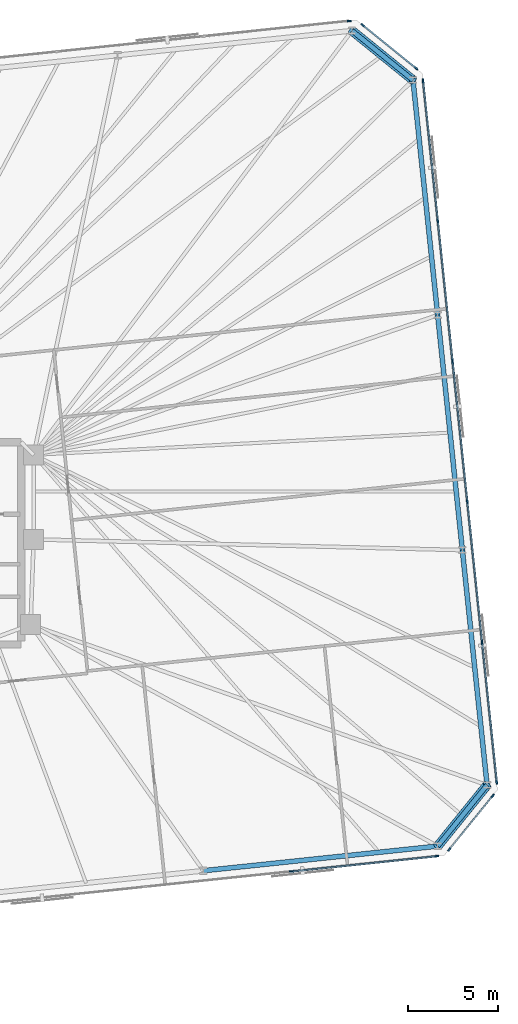
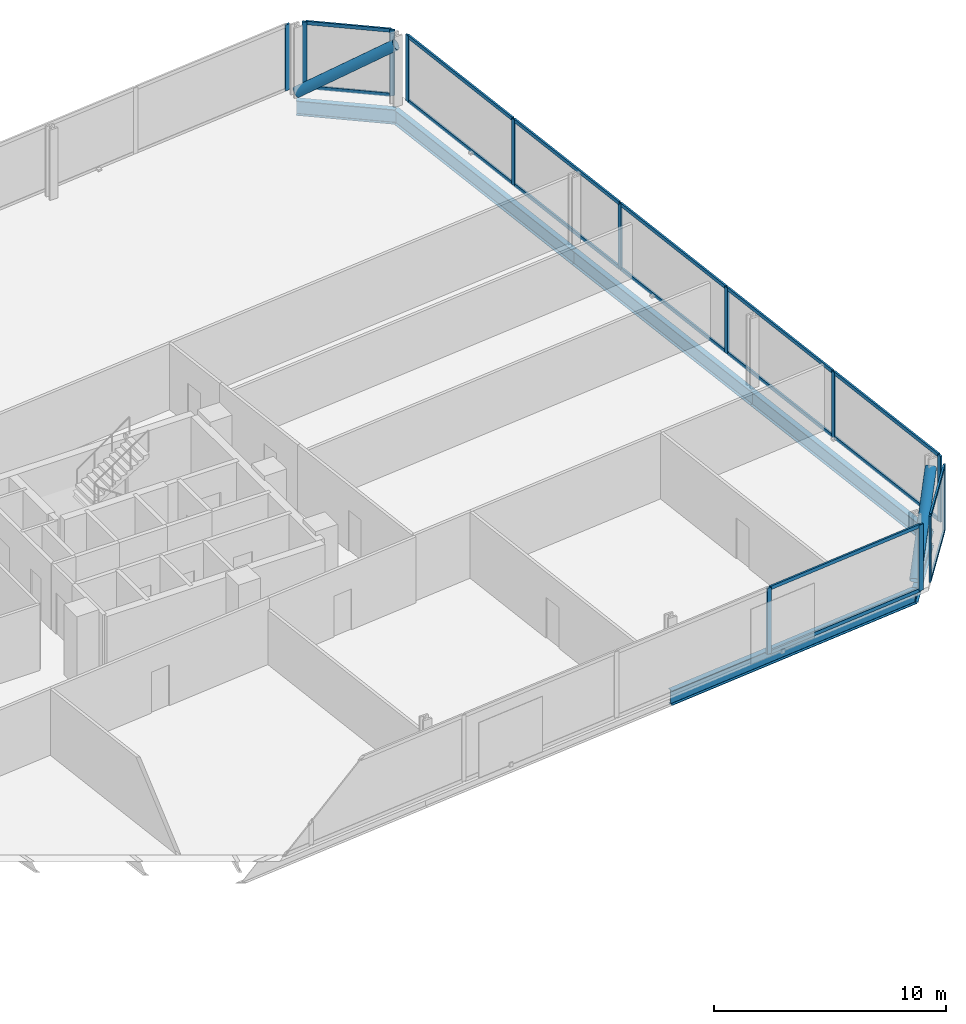
# One storey, part 12 of 18: 31 members, 6 beams, 5 elements without a shape of their own.
"""IFC4 building model written with IfcOpenShell, lengths in metres."""

from ifc_helpers import new_model, si_unit, direction, frame, origin, origin_2d, place, context, subcontext, project, spatial, rectangle, hollow_circle, i_section, extrude, material, material_profile, profile_set, type_object, element, aggregate, save


model = new_model("IFC4")

# Units and contexts
model_context = context("Model", 3, precision=1e-05, world=origin(), true_north=direction((0.0, 1.0)))
body_context = subcontext(model_context, "Body", "Model", "MODEL_VIEW")
ifc_project = project(units=[si_unit("LENGTHUNIT", "METRE"), si_unit("AREAUNIT", "SQUARE_METRE"), si_unit("VOLUMEUNIT", "CUBIC_METRE"), si_unit("PLANEANGLEUNIT", "RADIAN"), si_unit("MASSUNIT", "GRAM", prefix="KILO")], contexts=[model_context])

# Site, building, storey
site_placement = place(None, origin())
site = spatial("IfcSite", under=ifc_project, at=site_placement, CompositionType="ELEMENT")
building_placement = place(site_placement, origin())
building = spatial("IfcBuilding", under=site, at=building_placement, Name="Menara Jurai Vektor", CompositionType="ELEMENT")
storey_placement = place(building_placement, frame((0.0, 0.0, 102.199951171875)))
storey = spatial("IfcBuildingStorey", under=building, at=storey_placement, Name="L25", CompositionType="ELEMENT", Elevation=102.199951171875)

# Curtain wall, members
ifc_material_1 = material(Name="Anodised Pale Aluminium & Low-E Double Glazing", Category="aluminium")
curtain_wall_type = type_object("IfcCurtainWallType", Name="CW-BLK2", PredefinedType="NOTDEFINED", material=ifc_material_1)
curtain_wall_1_placement = place(storey_placement, origin())
curtain_wall_1 = element("IfcCurtainWall", 1, at=curtain_wall_1_placement, inside=storey, type_object=curtain_wall_type, Name="Unitised Curtain Wall L25 F01", PredefinedType="NOTDEFINED")
ifc_material_2 = material(Name="Anodised Pale Aluminium Mullion", Category="aluminium")
ifc_material_profile_1 = material_profile(ifc_material_2, rectangle(XDim=0.090087890625, YDim=0.219970703125, at=origin_2d()), Name="ALU MUL 90x220")
ifc_profile_set_1 = profile_set([ifc_material_profile_1], Name="Anodised Pale Aluminium Mullion")
member_type_1 = type_object("IfcMemberType", Name="CW-BLK2-MUL", PredefinedType="MULLION", material=ifc_profile_set_1)
member_1_placement = place(storey_placement, frame((29.52392578125, -18.169189453125, 0.0), z_axis=(0.0, 0.0, 1.0), x_axis=(-0.104528634935, 0.994521877325, 0.0)))
member_1 = element("IfcMember", 2, at=member_1_placement, type_object=member_type_1, Name="CW-02 mullion 8", PredefinedType="MULLION", context=body_context, shape_type="SweptSolid", body=[
    extrude(rectangle(XDim=0.090087890625, YDim=0.219970703125, at=origin_2d()), origin(), (0.0, 0.0, 1.0), 3.47509765625),
])
member_2_placement = place(storey_placement, frame((37.5771484375, -17.32275390625, 0.0), z_axis=(0.0, 0.0, 1.0), x_axis=(-0.104528634935, 0.994521877325, 0.0)))
member_2 = element("IfcMember", 3, at=member_2_placement, type_object=member_type_1, Name="CW-02 mullion 9", PredefinedType="MULLION", context=body_context, shape_type="SweptSolid", body=[
    extrude(rectangle(XDim=0.090087890625, YDim=0.219970703125, at=origin_2d()), origin(), (0.0, 0.0, 1.0), 3.47509765625),
])

curtain_wall_2_placement = place(storey_placement, origin())
curtain_wall_2 = element("IfcCurtainWall", 4, at=curtain_wall_2_placement, inside=storey, type_object=curtain_wall_type, Name="Unitised Curtain Wall L25 F02", PredefinedType="NOTDEFINED")
member_3_placement = place(storey_placement, frame((38.267333984375, -16.9482421875, 0.0), z_axis=(0.0, 0.0, 1.0), x_axis=(-0.777129222223, 0.62934106172, 0.0)))
member_3 = element("IfcMember", 5, at=member_3_placement, type_object=member_type_1, Name="CW-02 mullion 1", PredefinedType="MULLION", context=body_context, shape_type="SweptSolid", body=[
    extrude(rectangle(XDim=0.090087890625, YDim=0.219970703125, at=origin_2d()), origin(), (0.0, 0.0, 1.0), 3.47509765625),
])
member_4_placement = place(storey_placement, frame((40.66943359375, -13.98193359375, 0.0), z_axis=(0.0, 0.0, 1.0), x_axis=(-0.777129222223, 0.62934106172, 0.0)))
member_4 = element("IfcMember", 6, at=member_4_placement, type_object=member_type_1, Name="CW-02 mullion 2", PredefinedType="MULLION", context=body_context, shape_type="SweptSolid", body=[
    extrude(rectangle(XDim=0.090087890625, YDim=0.219970703125, at=origin_2d()), origin(), (0.0, 0.0, 1.0), 3.47509765625),
])

curtain_wall_3_placement = place(storey_placement, origin())
curtain_wall_3 = element("IfcCurtainWall", 7, at=curtain_wall_3_placement, inside=storey, type_object=curtain_wall_type, Name="Unitised Curtain Wall L25 F03", PredefinedType="NOTDEFINED")
member_5_placement = place(storey_placement, frame((40.892333984375, -13.22900390625, 0.0), z_axis=(0.0, 0.0, 1.0), x_axis=(-0.99452177832, -0.104529576902, 0.0)))
member_5 = element("IfcMember", 8, at=member_5_placement, type_object=member_type_1, Name="CW-02 mullion 1", PredefinedType="MULLION", context=body_context, shape_type="SweptSolid", body=[
    extrude(rectangle(XDim=0.090087890625, YDim=0.219970703125, at=origin_2d()), origin(), (0.0, 0.0, 1.0), 3.47509765625),
])
member_6_placement = place(storey_placement, frame((40.078857421875, -5.488525390625, 0.0), z_axis=(0.0, 0.0, 1.0), x_axis=(-0.99452177832, -0.104529576902, 0.0)))
member_6 = element("IfcMember", 9, at=member_6_placement, type_object=member_type_1, Name="CW-02 mullion 2", PredefinedType="MULLION", context=body_context, shape_type="SweptSolid", body=[
    extrude(rectangle(XDim=0.090087890625, YDim=0.219970703125, at=origin_2d()), origin(), (0.0, 0.0, 1.0), 3.47509765625),
])
member_7_placement = place(storey_placement, frame((39.260498046875, 2.296630859375, 0.0), z_axis=(0.0, 0.0, 1.0), x_axis=(-0.99452177832, -0.104529576902, 0.0)))
member_7 = element("IfcMember", 10, at=member_7_placement, type_object=member_type_1, Name="CW-02 mullion 3", PredefinedType="MULLION", context=body_context, shape_type="SweptSolid", body=[
    extrude(rectangle(XDim=0.090087890625, YDim=0.219970703125, at=origin_2d()), origin(), (0.0, 0.0, 1.0), 3.47509765625),
])
member_8_placement = place(storey_placement, frame((38.4423828125, 10.081787109375, 0.0), z_axis=(0.0, 0.0, 1.0), x_axis=(-0.99452177832, -0.104529576902, 0.0)))
member_8 = element("IfcMember", 11, at=member_8_placement, type_object=member_type_1, Name="CW-02 mullion 4", PredefinedType="MULLION", context=body_context, shape_type="SweptSolid", body=[
    extrude(rectangle(XDim=0.090087890625, YDim=0.219970703125, at=origin_2d()), origin(), (0.0, 0.0, 1.0), 3.47509765625),
])
member_9_placement = place(storey_placement, frame((37.6240234375, 17.866943359375, 0.0), z_axis=(0.0, 0.0, 1.0), x_axis=(-0.99452177832, -0.104529576902, 0.0)))
member_9 = element("IfcMember", 12, at=member_9_placement, type_object=member_type_1, Name="CW-02 mullion 5", PredefinedType="MULLION", context=body_context, shape_type="SweptSolid", body=[
    extrude(rectangle(XDim=0.090087890625, YDim=0.219970703125, at=origin_2d()), origin(), (0.0, 0.0, 1.0), 3.47509765625),
])
member_10_placement = place(storey_placement, frame((36.810546875, 25.607177734375, 0.0), z_axis=(0.0, 0.0, 1.0), x_axis=(-0.99452177832, -0.104529576902, 0.0)))
member_10 = element("IfcMember", 13, at=member_10_placement, type_object=member_type_1, Name="CW-02 mullion 6", PredefinedType="MULLION", context=body_context, shape_type="SweptSolid", body=[
    extrude(rectangle(XDim=0.090087890625, YDim=0.219970703125, at=origin_2d()), origin(), (0.0, 0.0, 1.0), 3.47509765625),
])

curtain_wall_4_placement = place(storey_placement, origin())
curtain_wall_4 = element("IfcCurtainWall", 14, at=curtain_wall_4_placement, inside=storey, type_object=curtain_wall_type, Name="Unitised Curtain Wall L25 F04", PredefinedType="NOTDEFINED")
member_11_placement = place(storey_placement, frame((36.435791015625, 26.29736328125, 0.0), z_axis=(0.0, 0.0, 1.0), x_axis=(-0.629313085353, -0.777151877437, 0.0)))
member_11 = element("IfcMember", 15, at=member_11_placement, type_object=member_type_1, Name="CW-02 mullion 1", PredefinedType="MULLION", context=body_context, shape_type="SweptSolid", body=[
    extrude(rectangle(XDim=0.090087890625, YDim=0.219970703125, at=origin_2d()), origin(), (0.0, 0.0, 1.0), 3.47509765625),
])
member_12_placement = place(storey_placement, frame((33.469482421875, 28.699462890625, 0.0), z_axis=(0.0, 0.0, 1.0), x_axis=(-0.629313085353, -0.777151877437, 0.0)))
member_12 = element("IfcMember", 16, at=member_12_placement, type_object=member_type_1, Name="CW-02 mullion 2", PredefinedType="MULLION", context=body_context, shape_type="SweptSolid", body=[
    extrude(rectangle(XDim=0.090087890625, YDim=0.219970703125, at=origin_2d()), origin(), (0.0, 0.0, 1.0), 3.47509765625),
])

# Curtain wall, member
curtain_wall_5_placement = place(storey_placement, origin())
curtain_wall_5 = element("IfcCurtainWall", 17, at=curtain_wall_5_placement, inside=storey, type_object=curtain_wall_type, Name="Unitised Curtain Wall L25 F05", PredefinedType="NOTDEFINED")
member_13_placement = place(storey_placement, frame((32.716552734375, 28.92236328125, 0.0), z_axis=(0.0, 0.0, 1.0), x_axis=(0.104528634935, -0.994521877325, 0.0)))
member_13 = element("IfcMember", 18, at=member_13_placement, type_object=member_type_1, Name="CW-02 mullion 1", PredefinedType="MULLION", context=body_context, shape_type="SweptSolid", body=[
    extrude(rectangle(XDim=0.090087890625, YDim=0.219970703125, at=origin_2d()), origin(), (0.0, 0.0, 1.0), 3.47509765625),
])
aggregate(curtain_wall_5, [member_13])

# Member
ifc_material_3 = material(Name="Anodised Pale Aluminium Transom", Category="aluminium")
ifc_material_profile_2 = material_profile(ifc_material_3, rectangle(XDim=0.090087890625, YDim=0.18505859375, at=origin_2d()), Name="ALU TRN 90x185")
ifc_profile_set_2 = profile_set([ifc_material_profile_2], Name="Anodised Pale Aluminium Transom")
member_type_2 = type_object("IfcMemberType", Name="CW-BLK2-TRN", PredefinedType="USERDEFINED", material=ifc_profile_set_2)
member_14_placement = place(storey_placement, frame((29.56884765625, -18.16455078125, 0.045166015625), z_axis=(0.994519977808, 0.104546706027, 0.0), x_axis=(-0.104546706027, 0.994519977808, 0.0)))
member_14 = element("IfcMember", 19, at=member_14_placement, type_object=member_type_2, Name="CW-02 transom 8.1", ObjectType="TRANSOM", PredefinedType="USERDEFINED", context=body_context, shape_type="SweptSolid", body=[
    extrude(rectangle(XDim=0.090087890625, YDim=0.18505859375, at=origin_2d()), origin(), (0.0, 0.0, 1.0), 8.007568359375),
])

member_15_placement = place(storey_placement, frame((29.56884765625, -18.16455078125, 3.429931640625), z_axis=(0.994519977808, 0.104546706027, 0.0), x_axis=(-0.104546706027, 0.994519977808, 0.0)))
member_15 = element("IfcMember", 20, at=member_15_placement, type_object=member_type_2, Name="CW-02 transom 8.2", ObjectType="TRANSOM", PredefinedType="USERDEFINED", context=body_context, shape_type="SweptSolid", body=[
    extrude(rectangle(XDim=0.090087890625, YDim=0.18505859375, at=origin_2d()), origin(), (0.0, 0.0, 1.0), 8.007568359375),
])

aggregate(curtain_wall_1, [member_1, member_2, member_14, member_15])

member_16_placement = place(storey_placement, frame((38.295654296875, -16.9130859375, 0.045166015625), z_axis=(0.6293414396, 0.777128916205, 0.0), x_axis=(-0.777128916205, 0.6293414396, 0.0)))
member_16 = element("IfcMember", 21, at=member_16_placement, type_object=member_type_2, Name="CW-02 transom 1.1", ObjectType="TRANSOM", PredefinedType="USERDEFINED", context=body_context, shape_type="SweptSolid", body=[
    extrude(rectangle(XDim=0.090087890625, YDim=0.18505859375, at=origin_2d()), origin(), (0.0, 0.0, 1.0), 3.726806640625),
])

member_17_placement = place(storey_placement, frame((38.295654296875, -16.9130859375, 3.429931640625), z_axis=(0.6293414396, 0.777128916205, 0.0), x_axis=(-0.777128916205, 0.6293414396, 0.0)))
member_17 = element("IfcMember", 22, at=member_17_placement, type_object=member_type_2, Name="CW-02 transom 1.2", ObjectType="TRANSOM", PredefinedType="USERDEFINED", context=body_context, shape_type="SweptSolid", body=[
    extrude(rectangle(XDim=0.090087890625, YDim=0.18505859375, at=origin_2d()), origin(), (0.0, 0.0, 1.0), 3.726806640625),
])

aggregate(curtain_wall_2, [member_3, member_4, member_16, member_17])

member_18_placement = place(storey_placement, frame((40.8876953125, -13.18408203125, 0.045166015625), z_axis=(-0.104536105602, 0.994521092097, 0.0), x_axis=(-0.994521092097, -0.104536105602, 0.0)))
member_18 = element("IfcMember", 23, at=member_18_placement, type_object=member_type_2, Name="CW-02 transom 1.1", ObjectType="TRANSOM", PredefinedType="USERDEFINED", context=body_context, shape_type="SweptSolid", body=[
    extrude(rectangle(XDim=0.090087890625, YDim=0.18505859375, at=origin_2d()), origin(), (0.0, 0.0, 1.0), 7.693115234375),
])

member_19_placement = place(storey_placement, frame((40.8876953125, -13.18408203125, 3.429931640625), z_axis=(-0.104536105602, 0.994521092097, 0.0), x_axis=(-0.994521092097, -0.104536105602, 0.0)))
member_19 = element("IfcMember", 24, at=member_19_placement, type_object=member_type_2, Name="CW-02 transom 1.2", ObjectType="TRANSOM", PredefinedType="USERDEFINED", context=body_context, shape_type="SweptSolid", body=[
    extrude(rectangle(XDim=0.090087890625, YDim=0.18505859375, at=origin_2d()), origin(), (0.0, 0.0, 1.0), 7.693115234375),
])

member_20_placement = place(storey_placement, frame((40.07421875, -5.44384765625, 0.045166015625), z_axis=(-0.104528756613, 0.994521864536, 0.0), x_axis=(-0.994521864536, -0.104528756613, 0.0)))
member_20 = element("IfcMember", 25, at=member_20_placement, type_object=member_type_2, Name="CW-02 transom 2.1", ObjectType="TRANSOM", PredefinedType="USERDEFINED", context=body_context, shape_type="SweptSolid", body=[
    extrude(rectangle(XDim=0.090087890625, YDim=0.18505859375, at=origin_2d()), origin(), (0.0, 0.0, 1.0), 7.738037109375),
])

member_21_placement = place(storey_placement, frame((40.07421875, -5.44384765625, 3.429931640625), z_axis=(-0.104528756613, 0.994521864536, 0.0), x_axis=(-0.994521864536, -0.104528756613, 0.0)))
member_21 = element("IfcMember", 26, at=member_21_placement, type_object=member_type_2, Name="CW-02 transom 2.2", ObjectType="TRANSOM", PredefinedType="USERDEFINED", context=body_context, shape_type="SweptSolid", body=[
    extrude(rectangle(XDim=0.090087890625, YDim=0.18505859375, at=origin_2d()), origin(), (0.0, 0.0, 1.0), 7.738037109375),
])

member_22_placement = place(storey_placement, frame((39.255859375, 2.34130859375, 0.045166015625), z_axis=(-0.104528756613, 0.994521864536, 0.0), x_axis=(-0.994521864536, -0.104528756613, 0.0)))
member_22 = element("IfcMember", 27, at=member_22_placement, type_object=member_type_2, Name="CW-02 transom 3.1", ObjectType="TRANSOM", PredefinedType="USERDEFINED", context=body_context, shape_type="SweptSolid", body=[
    extrude(rectangle(XDim=0.090087890625, YDim=0.18505859375, at=origin_2d()), origin(), (0.0, 0.0, 1.0), 7.738037109375),
])

member_23_placement = place(storey_placement, frame((39.255859375, 2.34130859375, 3.429931640625), z_axis=(-0.104528756613, 0.994521864536, 0.0), x_axis=(-0.994521864536, -0.104528756613, 0.0)))
member_23 = element("IfcMember", 28, at=member_23_placement, type_object=member_type_2, Name="CW-02 transom 3.2", ObjectType="TRANSOM", PredefinedType="USERDEFINED", context=body_context, shape_type="SweptSolid", body=[
    extrude(rectangle(XDim=0.090087890625, YDim=0.18505859375, at=origin_2d()), origin(), (0.0, 0.0, 1.0), 7.738037109375),
])

member_24_placement = place(storey_placement, frame((38.4375, 10.12646484375, 0.045166015625), z_axis=(-0.104528756613, 0.994521864536, 0.0), x_axis=(-0.994521864536, -0.104528756613, 0.0)))
member_24 = element("IfcMember", 29, at=member_24_placement, type_object=member_type_2, Name="CW-02 transom 4.1", ObjectType="TRANSOM", PredefinedType="USERDEFINED", context=body_context, shape_type="SweptSolid", body=[
    extrude(rectangle(XDim=0.090087890625, YDim=0.18505859375, at=origin_2d()), origin(), (0.0, 0.0, 1.0), 7.738037109375),
])

member_25_placement = place(storey_placement, frame((38.4375, 10.12646484375, 3.429931640625), z_axis=(-0.104528756613, 0.994521864536, 0.0), x_axis=(-0.994521864536, -0.104528756613, 0.0)))
member_25 = element("IfcMember", 30, at=member_25_placement, type_object=member_type_2, Name="CW-02 transom 4.2", ObjectType="TRANSOM", PredefinedType="USERDEFINED", context=body_context, shape_type="SweptSolid", body=[
    extrude(rectangle(XDim=0.090087890625, YDim=0.18505859375, at=origin_2d()), origin(), (0.0, 0.0, 1.0), 7.738037109375),
])

member_26_placement = place(storey_placement, frame((37.619384765625, 17.91162109375, 0.045166015625), z_axis=(-0.104536105602, 0.994521092097, 0.0), x_axis=(-0.994521092097, -0.104536105602, 0.0)))
member_26 = element("IfcMember", 31, at=member_26_placement, type_object=member_type_2, Name="CW-02 transom 5.1", ObjectType="TRANSOM", PredefinedType="USERDEFINED", context=body_context, shape_type="SweptSolid", body=[
    extrude(rectangle(XDim=0.090087890625, YDim=0.18505859375, at=origin_2d()), origin(), (0.0, 0.0, 1.0), 7.693115234375),
])

member_27_placement = place(storey_placement, frame((37.619384765625, 17.91162109375, 3.429931640625), z_axis=(-0.104536105602, 0.994521092097, 0.0), x_axis=(-0.994521092097, -0.104536105602, 0.0)))
member_27 = element("IfcMember", 32, at=member_27_placement, type_object=member_type_2, Name="CW-02 transom 5.2", ObjectType="TRANSOM", PredefinedType="USERDEFINED", context=body_context, shape_type="SweptSolid", body=[
    extrude(rectangle(XDim=0.090087890625, YDim=0.18505859375, at=origin_2d()), origin(), (0.0, 0.0, 1.0), 7.693115234375),
])

aggregate(curtain_wall_3, [member_5, member_6, member_7, member_8, member_9, member_10, member_18, member_19, member_20, member_21, member_22, member_23, member_24, member_25, member_26, member_27])

member_28_placement = place(storey_placement, frame((36.40087890625, 26.32568359375, 0.045166015625), z_axis=(-0.77715486027, 0.629309401772, 0.0), x_axis=(-0.629309401772, -0.77715486027, 0.0)))
member_28 = element("IfcMember", 33, at=member_28_placement, type_object=member_type_2, Name="CW-02 transom 1.1", ObjectType="TRANSOM", PredefinedType="USERDEFINED", context=body_context, shape_type="SweptSolid", body=[
    extrude(rectangle(XDim=0.090087890625, YDim=0.18505859375, at=origin_2d()), origin(), (0.0, 0.0, 1.0), 3.72705078125),
])

member_29_placement = place(storey_placement, frame((36.40087890625, 26.32568359375, 3.429931640625), z_axis=(-0.77715486027, 0.629309401772, 0.0), x_axis=(-0.629309401772, -0.77715486027, 0.0)))
member_29 = element("IfcMember", 34, at=member_29_placement, type_object=member_type_2, Name="CW-02 transom 1.2", ObjectType="TRANSOM", PredefinedType="USERDEFINED", context=body_context, shape_type="SweptSolid", body=[
    extrude(rectangle(XDim=0.090087890625, YDim=0.18505859375, at=origin_2d()), origin(), (0.0, 0.0, 1.0), 3.72705078125),
])

aggregate(curtain_wall_4, [member_11, member_12, member_28, member_29])

# Members
ifc_material_4 = material(Name="Steel S460", Category="steel")
ifc_material_profile_3 = material_profile(ifc_material_4, hollow_circle(Radius=0.25390625, WallThickness=0.02001953125, at=origin_2d()), Name="CHS 508x20")
ifc_profile_set_3 = profile_set([ifc_material_profile_3], Name="Steel S460")
member_type_3 = type_object("IfcMemberType", Name="STR-BR-508", PredefinedType="BRACE", material=ifc_profile_set_3)
for number, where, z_axis, x_axis, name in (
    (35, (37.621826171875, -16.76513671875, 0.150146484375), (0.51928532157, 0.641224642617, 0.564954611011), (-0.777127086072, 0.629343699494, 0.0), "Exoskeleton Corner Brace L25-1"),
    (36, (32.876220703125, 28.38623046875, 0.150146484375), (0.641224642617, -0.51928532157, 0.564954611011), (0.629343699494, 0.777127086072, 0.0), "Exoskeleton Corner Brace L25-2"),
):
    element("IfcMember", number, at=place(storey_placement, frame(where, z_axis=z_axis, x_axis=x_axis)), inside=storey, type_object=member_type_3, Name=name, PredefinedType="BRACE", context=body_context, shape_type="SweptSolid", body=[
        extrude(hollow_circle(Radius=0.25390625, WallThickness=0.02001953125, at=origin_2d()), origin(), (0.0, 0.0, 1.0), 5.265625),
    ])

# Beams
ifc_material_profile_4 = material_profile(ifc_material_4, i_section(OverallWidth=0.26806640625, OverallDepth=0.77001953125, WebThickness=0.01611328125, FlangeThickness=0.02490234375, FilletRadius=0.01708984375, at=origin_2d()), Name="UKB 762x267x197")
ifc_profile_set_4 = profile_set([ifc_material_profile_4], Name="Steel S460")
beam_type = type_object("IfcBeamType", Name="STR-SP-762", PredefinedType="SPANDREL", material=ifc_profile_set_4)
beam_1_placement = place(storey_placement, frame((24.64208984375, -18.12939453125, -0.60986328125), z_axis=(0.994521636083, 0.104530930169, 0.0), x_axis=(-0.104530930169, 0.994521636083, 0.0)))
element("IfcBeam", 37, at=beam_1_placement, inside=storey, type_object=beam_type, Name="Exoskeleton Spandrel Beam L25-05", PredefinedType="SPANDREL", context=body_context, shape_type="SweptSolid", body=[
    extrude(i_section(OverallWidth=0.26806640625, OverallDepth=0.77001953125, WebThickness=0.01611328125, FlangeThickness=0.02490234375, FilletRadius=0.01708984375, at=origin_2d()), origin(), (0.0, 0.0, 1.0), 13.05126953125),
])
beam_2_placement = place(storey_placement, frame((37.621826171875, -16.76513671875, -0.60986328125), z_axis=(0.629343699494, 0.777127086072, 0.0), x_axis=(-0.777127086072, 0.629343699494, 0.0)))
element("IfcBeam", 38, at=beam_2_placement, inside=storey, type_object=beam_type, Name="Exoskeleton Spandrel Beam L25-06", PredefinedType="SPANDREL", context=body_context, shape_type="SweptSolid", body=[
    extrude(i_section(OverallWidth=0.26806640625, OverallDepth=0.77001953125, WebThickness=0.01611328125, FlangeThickness=0.02490234375, FilletRadius=0.01708984375, at=origin_2d()), origin(), (0.0, 0.0, 1.0), 4.3447265625),
])
beam_3_placement = place(storey_placement, frame((40.356201171875, -13.388671875, -0.60986328125), z_axis=(-0.104538130097, 0.994520879296, 0.0), x_axis=(-0.994520879296, -0.104538130097, 0.0)))
element("IfcBeam", 39, at=beam_3_placement, inside=storey, type_object=beam_type, Name="Exoskeleton Spandrel Beam L25-07", PredefinedType="SPANDREL", context=body_context, shape_type="SweptSolid", body=[
    extrude(i_section(OverallWidth=0.26806640625, OverallDepth=0.77001953125, WebThickness=0.01611328125, FlangeThickness=0.02490234375, FilletRadius=0.01708984375, at=origin_2d()), origin(), (0.0, 0.0, 1.0), 13.08544921875),
])
beam_4_placement = place(storey_placement, frame((38.98828125, -0.375, -0.60986328125), z_axis=(-0.104521615846, 0.994522615037, 0.0), x_axis=(-0.994522615037, -0.104521615846, 0.0)))
element("IfcBeam", 40, at=beam_4_placement, inside=storey, type_object=beam_type, Name="Exoskeleton Spandrel Beam L25-08", PredefinedType="SPANDREL", context=body_context, shape_type="SweptSolid", body=[
    extrude(i_section(OverallWidth=0.26806640625, OverallDepth=0.77001953125, WebThickness=0.01611328125, FlangeThickness=0.02490234375, FilletRadius=0.01708984375, at=origin_2d()), origin(), (0.0, 0.0, 1.0), 13.085205078125),
])
beam_5_placement = place(storey_placement, frame((37.62060546875, 12.638427734375, -0.60986328125), z_axis=(-0.104538130097, 0.994520879296, 0.0), x_axis=(-0.994520879296, -0.104538130097, 0.0)))
element("IfcBeam", 41, at=beam_5_placement, inside=storey, type_object=beam_type, Name="Exoskeleton Spandrel Beam L25-09", PredefinedType="SPANDREL", context=body_context, shape_type="SweptSolid", body=[
    extrude(i_section(OverallWidth=0.26806640625, OverallDepth=0.77001953125, WebThickness=0.01611328125, FlangeThickness=0.02490234375, FilletRadius=0.01708984375, at=origin_2d()), origin(), (0.0, 0.0, 1.0), 13.08544921875),
])
beam_6_placement = place(storey_placement, frame((36.252685546875, 25.652099609375, -0.60986328125), z_axis=(-0.777154568396, 0.629309762217, 0.0), x_axis=(-0.629309762217, -0.777154568396, 0.0)))
element("IfcBeam", 42, at=beam_6_placement, inside=storey, type_object=beam_type, Name="Exoskeleton Spandrel Beam L25-10", PredefinedType="SPANDREL", context=body_context, shape_type="SweptSolid", body=[
    extrude(i_section(OverallWidth=0.26806640625, OverallDepth=0.77001953125, WebThickness=0.01611328125, FlangeThickness=0.02490234375, FilletRadius=0.01708984375, at=origin_2d()), origin(), (0.0, 0.0, 1.0), 4.3447265625),
])

save(model, "model.ifc")
